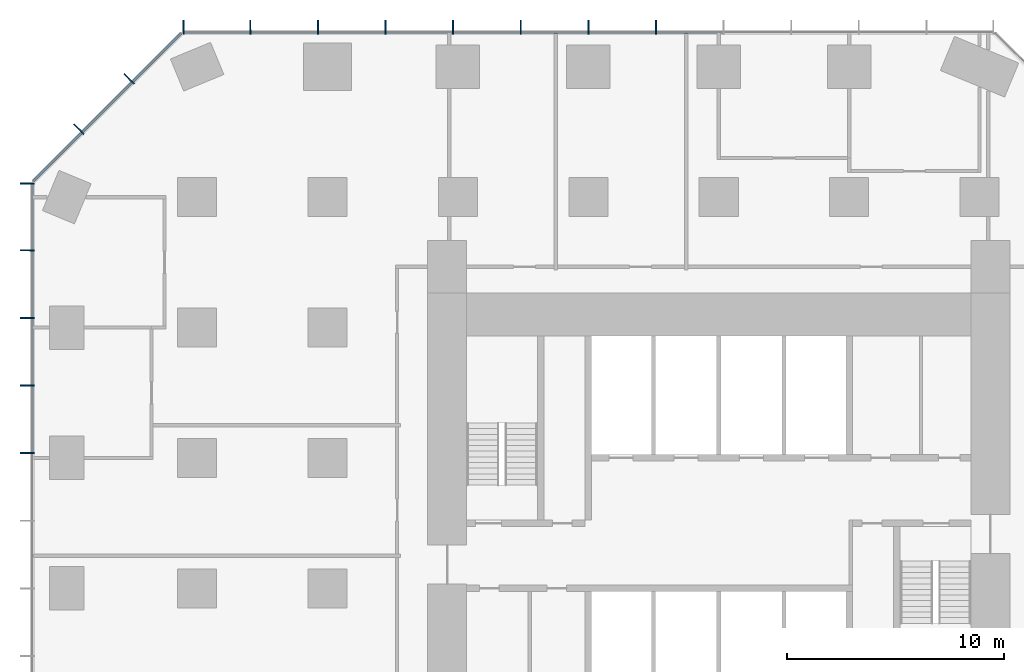
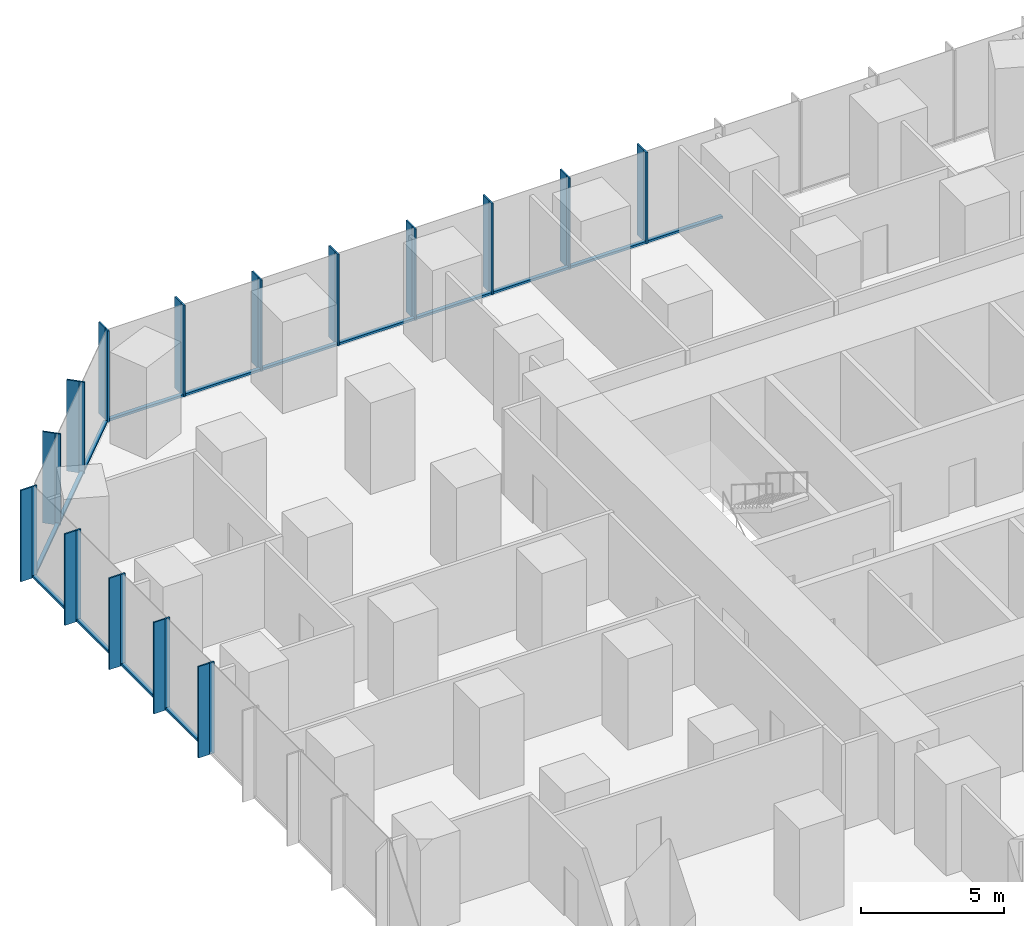
# One storey, part 5 of 12: 45 members, 3 elements without a shape of their own.
"""IFC4 building model written with IfcOpenShell, lengths in metres."""

from ifc_helpers import new_model, si_unit, direction, frame, origin, origin_2d, place, context, subcontext, project, spatial, rectangle, extrude, material, layer, layer_set, material_profile, profile_set, type_object, element, aggregate, save


model = new_model("IFC4")

# Units and contexts
model_context = context("Model", 3, precision=1e-05, world=origin(), true_north=direction((0.0, 1.0)))
body_context = subcontext(model_context, "Body", "Model", "MODEL_VIEW")
ifc_project = project(units=[si_unit("LENGTHUNIT", "METRE"), si_unit("AREAUNIT", "SQUARE_METRE"), si_unit("VOLUMEUNIT", "CUBIC_METRE"), si_unit("PLANEANGLEUNIT", "RADIAN"), si_unit("MASSUNIT", "GRAM", prefix="KILO")], contexts=[model_context])

# Site, building, storey
site_placement = place(None, origin())
site = spatial("IfcSite", under=ifc_project, at=site_placement, CompositionType="ELEMENT")
building_placement = place(site_placement, origin())
building = spatial("IfcBuilding", under=site, at=building_placement, Name="Highveld Stack Headquarters", CompositionType="ELEMENT")
storey_placement = place(building_placement, frame((0.0, 0.0, 26.0)))
storey = spatial("IfcBuildingStorey", under=building, at=storey_placement, Name="L05", CompositionType="ELEMENT", Elevation=26.0)

# Curtain wall, members
ifc_material_1 = material(Name="Aluminium bronze anodised", Category="aluminium")
ifc_layer_1 = layer(ifc_material_1, 0.199951171875)
ifc_layer_set_1 = layer_set([ifc_layer_1], Name="Aluminium bronze anodised")
curtain_wall_type_1 = type_object("IfcCurtainWallType", Name="CW1 TOWER UNITISED CURTAIN WALL", PredefinedType="NOTDEFINED", material=ifc_layer_set_1)
curtain_wall_1_placement = place(storey_placement, origin())
curtain_wall_1 = element("IfcCurtainWall", 1, at=curtain_wall_1_placement, inside=storey, type_object=curtain_wall_type_1, Name="Curtain wall CW1 L05 N", PredefinedType="NOTDEFINED")
ifc_material_2 = material(Name="Aluminium bronze anodised", Category="aluminium")
ifc_material_profile_1 = material_profile(ifc_material_2, rectangle(XDim=0.449951171875, YDim=0.06005859375, at=origin_2d()), Name="FIN 450x60")
ifc_profile_set_1 = profile_set([ifc_material_profile_1], Name="Aluminium bronze anodised")
member_type_1 = type_object("IfcMemberType", Name="CW1 BRONZE FIN 450x60", PredefinedType="USERDEFINED", material=ifc_profile_set_1)
member_1_placement = place(storey_placement, frame((3.110595703125, 25.925048828125, 0.0), z_axis=(0.0, 0.0, 1.0), x_axis=(0.0, -1.0, 0.0)))
member_1 = element("IfcMember", 2, at=member_1_placement, type_object=member_type_1, Name="CW1 fin L05 6", ObjectType="FIN", PredefinedType="USERDEFINED", context=body_context, shape_type="SweptSolid", body=[
    extrude(rectangle(XDim=0.449951171875, YDim=0.06005859375, at=origin_2d()), origin(), (0.0, 0.0, 1.0), 3.89990234375),
])
member_2_placement = place(storey_placement, frame((0.0, 25.925048828125, 0.0), z_axis=(0.0, 0.0, 1.0), x_axis=(0.0, -1.0, 0.0)))
member_2 = element("IfcMember", 3, at=member_2_placement, type_object=member_type_1, Name="CW1 fin L05 7", ObjectType="FIN", PredefinedType="USERDEFINED", context=body_context, shape_type="SweptSolid", body=[
    extrude(rectangle(XDim=0.449951171875, YDim=0.06005859375, at=origin_2d()), origin(), (0.0, 0.0, 1.0), 3.89990234375),
])
member_3_placement = place(storey_placement, frame((-3.110595703125, 25.925048828125, 0.0), z_axis=(0.0, 0.0, 1.0), x_axis=(0.0, -1.0, 0.0)))
member_3 = element("IfcMember", 4, at=member_3_placement, type_object=member_type_1, Name="CW1 fin L05 8", ObjectType="FIN", PredefinedType="USERDEFINED", context=body_context, shape_type="SweptSolid", body=[
    extrude(rectangle(XDim=0.449951171875, YDim=0.06005859375, at=origin_2d()), origin(), (0.0, 0.0, 1.0), 3.89990234375),
])
member_4_placement = place(storey_placement, frame((-6.220947265625, 25.925048828125, 0.0), z_axis=(0.0, 0.0, 1.0), x_axis=(0.0, -1.0, 0.0)))
member_4 = element("IfcMember", 5, at=member_4_placement, type_object=member_type_1, Name="CW1 fin L05 9", ObjectType="FIN", PredefinedType="USERDEFINED", context=body_context, shape_type="SweptSolid", body=[
    extrude(rectangle(XDim=0.449951171875, YDim=0.06005859375, at=origin_2d()), origin(), (0.0, 0.0, 1.0), 3.89990234375),
])
member_5_placement = place(storey_placement, frame((-9.331298828125, 25.925048828125, 0.0), z_axis=(0.0, 0.0, 1.0), x_axis=(0.0, -1.0, 0.0)))
member_5 = element("IfcMember", 6, at=member_5_placement, type_object=member_type_1, Name="CW1 fin L05 10", ObjectType="FIN", PredefinedType="USERDEFINED", context=body_context, shape_type="SweptSolid", body=[
    extrude(rectangle(XDim=0.449951171875, YDim=0.06005859375, at=origin_2d()), origin(), (0.0, 0.0, 1.0), 3.89990234375),
])
member_6_placement = place(storey_placement, frame((-12.44189453125, 25.925048828125, 0.0), z_axis=(0.0, 0.0, 1.0), x_axis=(0.0, -1.0, 0.0)))
member_6 = element("IfcMember", 7, at=member_6_placement, type_object=member_type_1, Name="CW1 fin L05 11", ObjectType="FIN", PredefinedType="USERDEFINED", context=body_context, shape_type="SweptSolid", body=[
    extrude(rectangle(XDim=0.449951171875, YDim=0.06005859375, at=origin_2d()), origin(), (0.0, 0.0, 1.0), 3.89990234375),
])
member_7_placement = place(storey_placement, frame((-15.55224609375, 25.925048828125, 0.0), z_axis=(0.0, 0.0, 1.0), x_axis=(0.0, -1.0, 0.0)))
member_7 = element("IfcMember", 8, at=member_7_placement, type_object=member_type_1, Name="CW1 fin L05 12", ObjectType="FIN", PredefinedType="USERDEFINED", context=body_context, shape_type="SweptSolid", body=[
    extrude(rectangle(XDim=0.449951171875, YDim=0.06005859375, at=origin_2d()), origin(), (0.0, 0.0, 1.0), 3.89990234375),
])
member_8_placement = place(storey_placement, frame((-18.630126953125, 25.925048828125, 0.0), z_axis=(0.0, 0.0, 1.0), x_axis=(0.0, -1.0, 0.0)))
member_8 = element("IfcMember", 9, at=member_8_placement, type_object=member_type_1, Name="CW1 fin L05 13", ObjectType="FIN", PredefinedType="USERDEFINED", context=body_context, shape_type="SweptSolid", body=[
    extrude(rectangle(XDim=0.449951171875, YDim=0.06005859375, at=origin_2d()), origin(), (0.0, 0.0, 1.0), 3.89990234375),
])

curtain_wall_2_placement = place(storey_placement, origin())
curtain_wall_2 = element("IfcCurtainWall", 10, at=curtain_wall_2_placement, inside=storey, type_object=curtain_wall_type_1, Name="Curtain wall CW1 L05 W", PredefinedType="NOTDEFINED")
member_9_placement = place(storey_placement, frame((-25.925048828125, 18.630126953125, 0.0), z_axis=(0.0, 0.0, 1.0), x_axis=(1.0, 0.0, 0.0)))
member_9 = element("IfcMember", 11, at=member_9_placement, type_object=member_type_1, Name="CW1 fin L05 1", ObjectType="FIN", PredefinedType="USERDEFINED", context=body_context, shape_type="SweptSolid", body=[
    extrude(rectangle(XDim=0.449951171875, YDim=0.06005859375, at=origin_2d()), origin(), (0.0, 0.0, 1.0), 3.89990234375),
])
member_10_placement = place(storey_placement, frame((-25.925048828125, 15.55224609375, 0.0), z_axis=(0.0, 0.0, 1.0), x_axis=(1.0, 0.0, 0.0)))
member_10 = element("IfcMember", 12, at=member_10_placement, type_object=member_type_1, Name="CW1 fin L05 2", ObjectType="FIN", PredefinedType="USERDEFINED", context=body_context, shape_type="SweptSolid", body=[
    extrude(rectangle(XDim=0.449951171875, YDim=0.06005859375, at=origin_2d()), origin(), (0.0, 0.0, 1.0), 3.89990234375),
])
member_11_placement = place(storey_placement, frame((-25.925048828125, 12.44189453125, 0.0), z_axis=(0.0, 0.0, 1.0), x_axis=(1.0, 0.0, 0.0)))
member_11 = element("IfcMember", 13, at=member_11_placement, type_object=member_type_1, Name="CW1 fin L05 3", ObjectType="FIN", PredefinedType="USERDEFINED", context=body_context, shape_type="SweptSolid", body=[
    extrude(rectangle(XDim=0.449951171875, YDim=0.06005859375, at=origin_2d()), origin(), (0.0, 0.0, 1.0), 3.89990234375),
])
member_12_placement = place(storey_placement, frame((-25.925048828125, 9.331298828125, 0.0), z_axis=(0.0, 0.0, 1.0), x_axis=(1.0, 0.0, 0.0)))
member_12 = element("IfcMember", 14, at=member_12_placement, type_object=member_type_1, Name="CW1 fin L05 4", ObjectType="FIN", PredefinedType="USERDEFINED", context=body_context, shape_type="SweptSolid", body=[
    extrude(rectangle(XDim=0.449951171875, YDim=0.06005859375, at=origin_2d()), origin(), (0.0, 0.0, 1.0), 3.89990234375),
])
member_13_placement = place(storey_placement, frame((-25.925048828125, 6.220947265625, 0.0), z_axis=(0.0, 0.0, 1.0), x_axis=(1.0, 0.0, 0.0)))
member_13 = element("IfcMember", 15, at=member_13_placement, type_object=member_type_1, Name="CW1 fin L05 5", ObjectType="FIN", PredefinedType="USERDEFINED", context=body_context, shape_type="SweptSolid", body=[
    extrude(rectangle(XDim=0.449951171875, YDim=0.06005859375, at=origin_2d()), origin(), (0.0, 0.0, 1.0), 3.89990234375),
])

# Member
ifc_material_3 = material(Name="Aluminium bronze anodised", Category="aluminium")
ifc_material_profile_2 = material_profile(ifc_material_3, rectangle(XDim=0.199951171875, YDim=0.06494140625, at=origin_2d()), Name="CW1 MULLION 65x200")
ifc_profile_set_2 = profile_set([ifc_material_profile_2], Name="Aluminium bronze anodised")
member_type_2 = type_object("IfcMemberType", Name="CW1 MULLION 65x200", PredefinedType="MULLION", material=ifc_profile_set_2)
member_14_placement = place(storey_placement, frame((3.110595703125, 25.60009765625, 0.0), z_axis=(0.0, 0.0, 1.0), x_axis=(0.0, -1.0, 0.0)))
member_14 = element("IfcMember", 16, at=member_14_placement, type_object=member_type_2, Name="CW1 mullion L05 6", PredefinedType="MULLION", context=body_context, shape_type="SweptSolid", body=[
    extrude(rectangle(XDim=0.199951171875, YDim=0.06494140625, at=origin_2d()), origin(), (0.0, 0.0, 1.0), 3.89990234375),
])

member_15_placement = place(storey_placement, frame((0.0, 25.60009765625, 0.0), z_axis=(0.0, 0.0, 1.0), x_axis=(0.0, -1.0, 0.0)))
member_15 = element("IfcMember", 17, at=member_15_placement, type_object=member_type_2, Name="CW1 mullion L05 7", PredefinedType="MULLION", context=body_context, shape_type="SweptSolid", body=[
    extrude(rectangle(XDim=0.199951171875, YDim=0.06494140625, at=origin_2d()), origin(), (0.0, 0.0, 1.0), 3.89990234375),
])

member_16_placement = place(storey_placement, frame((-3.110595703125, 25.60009765625, 0.0), z_axis=(0.0, 0.0, 1.0), x_axis=(0.0, -1.0, 0.0)))
member_16 = element("IfcMember", 18, at=member_16_placement, type_object=member_type_2, Name="CW1 mullion L05 8", PredefinedType="MULLION", context=body_context, shape_type="SweptSolid", body=[
    extrude(rectangle(XDim=0.199951171875, YDim=0.06494140625, at=origin_2d()), origin(), (0.0, 0.0, 1.0), 3.89990234375),
])

member_17_placement = place(storey_placement, frame((-6.220947265625, 25.60009765625, 0.0), z_axis=(0.0, 0.0, 1.0), x_axis=(0.0, -1.0, 0.0)))
member_17 = element("IfcMember", 19, at=member_17_placement, type_object=member_type_2, Name="CW1 mullion L05 9", PredefinedType="MULLION", context=body_context, shape_type="SweptSolid", body=[
    extrude(rectangle(XDim=0.199951171875, YDim=0.06494140625, at=origin_2d()), origin(), (0.0, 0.0, 1.0), 3.89990234375),
])

member_18_placement = place(storey_placement, frame((-9.331298828125, 25.60009765625, 0.0), z_axis=(0.0, 0.0, 1.0), x_axis=(0.0, -1.0, 0.0)))
member_18 = element("IfcMember", 20, at=member_18_placement, type_object=member_type_2, Name="CW1 mullion L05 10", PredefinedType="MULLION", context=body_context, shape_type="SweptSolid", body=[
    extrude(rectangle(XDim=0.199951171875, YDim=0.06494140625, at=origin_2d()), origin(), (0.0, 0.0, 1.0), 3.89990234375),
])

member_19_placement = place(storey_placement, frame((-12.44189453125, 25.60009765625, 0.0), z_axis=(0.0, 0.0, 1.0), x_axis=(0.0, -1.0, 0.0)))
member_19 = element("IfcMember", 21, at=member_19_placement, type_object=member_type_2, Name="CW1 mullion L05 11", PredefinedType="MULLION", context=body_context, shape_type="SweptSolid", body=[
    extrude(rectangle(XDim=0.199951171875, YDim=0.06494140625, at=origin_2d()), origin(), (0.0, 0.0, 1.0), 3.89990234375),
])

member_20_placement = place(storey_placement, frame((-15.55224609375, 25.60009765625, 0.0), z_axis=(0.0, 0.0, 1.0), x_axis=(0.0, -1.0, 0.0)))
member_20 = element("IfcMember", 22, at=member_20_placement, type_object=member_type_2, Name="CW1 mullion L05 12", PredefinedType="MULLION", context=body_context, shape_type="SweptSolid", body=[
    extrude(rectangle(XDim=0.199951171875, YDim=0.06494140625, at=origin_2d()), origin(), (0.0, 0.0, 1.0), 3.89990234375),
])

member_21_placement = place(storey_placement, frame((-18.630126953125, 25.60009765625, 0.0), z_axis=(0.0, 0.0, 1.0), x_axis=(0.0, -1.0, 0.0)))
member_21 = element("IfcMember", 23, at=member_21_placement, type_object=member_type_2, Name="CW1 mullion L05 13", PredefinedType="MULLION", context=body_context, shape_type="SweptSolid", body=[
    extrude(rectangle(XDim=0.199951171875, YDim=0.06494140625, at=origin_2d()), origin(), (0.0, 0.0, 1.0), 3.89990234375),
])

member_22_placement = place(storey_placement, frame((-25.60009765625, 18.630126953125, 0.0), z_axis=(0.0, 0.0, 1.0), x_axis=(1.0, 0.0, 0.0)))
member_22 = element("IfcMember", 24, at=member_22_placement, type_object=member_type_2, Name="CW1 mullion L05 1", PredefinedType="MULLION", context=body_context, shape_type="SweptSolid", body=[
    extrude(rectangle(XDim=0.199951171875, YDim=0.06494140625, at=origin_2d()), origin(), (0.0, 0.0, 1.0), 3.89990234375),
])

member_23_placement = place(storey_placement, frame((-25.60009765625, 15.55224609375, 0.0), z_axis=(0.0, 0.0, 1.0), x_axis=(1.0, 0.0, 0.0)))
member_23 = element("IfcMember", 25, at=member_23_placement, type_object=member_type_2, Name="CW1 mullion L05 2", PredefinedType="MULLION", context=body_context, shape_type="SweptSolid", body=[
    extrude(rectangle(XDim=0.199951171875, YDim=0.06494140625, at=origin_2d()), origin(), (0.0, 0.0, 1.0), 3.89990234375),
])

member_24_placement = place(storey_placement, frame((-25.60009765625, 12.44189453125, 0.0), z_axis=(0.0, 0.0, 1.0), x_axis=(1.0, 0.0, 0.0)))
member_24 = element("IfcMember", 26, at=member_24_placement, type_object=member_type_2, Name="CW1 mullion L05 3", PredefinedType="MULLION", context=body_context, shape_type="SweptSolid", body=[
    extrude(rectangle(XDim=0.199951171875, YDim=0.06494140625, at=origin_2d()), origin(), (0.0, 0.0, 1.0), 3.89990234375),
])

member_25_placement = place(storey_placement, frame((-25.60009765625, 9.331298828125, 0.0), z_axis=(0.0, 0.0, 1.0), x_axis=(1.0, 0.0, 0.0)))
member_25 = element("IfcMember", 27, at=member_25_placement, type_object=member_type_2, Name="CW1 mullion L05 4", PredefinedType="MULLION", context=body_context, shape_type="SweptSolid", body=[
    extrude(rectangle(XDim=0.199951171875, YDim=0.06494140625, at=origin_2d()), origin(), (0.0, 0.0, 1.0), 3.89990234375),
])

member_26_placement = place(storey_placement, frame((-25.60009765625, 6.220947265625, 0.0), z_axis=(0.0, 0.0, 1.0), x_axis=(1.0, 0.0, 0.0)))
member_26 = element("IfcMember", 28, at=member_26_placement, type_object=member_type_2, Name="CW1 mullion L05 5", PredefinedType="MULLION", context=body_context, shape_type="SweptSolid", body=[
    extrude(rectangle(XDim=0.199951171875, YDim=0.06494140625, at=origin_2d()), origin(), (0.0, 0.0, 1.0), 3.89990234375),
])

ifc_material_4 = material(Name="Aluminium bronze anodised", Category="aluminium")
ifc_material_profile_3 = material_profile(ifc_material_4, rectangle(XDim=0.14990234375, YDim=0.10009765625, at=origin_2d()), Name="CW1 TRANSOM 150x100")
ifc_profile_set_3 = profile_set([ifc_material_profile_3], Name="Aluminium bronze anodised")
member_type_3 = type_object("IfcMemberType", Name="CW1 STACK TRANSOM 150x100", PredefinedType="USERDEFINED", material=ifc_profile_set_3)
member_27_placement = place(storey_placement, frame((6.1884765625, 25.60009765625, 0.050048828125), z_axis=(-1.0, 0.0, 0.0), x_axis=(0.0, -1.0, 0.0)))
member_27 = element("IfcMember", 29, at=member_27_placement, type_object=member_type_3, Name="CW1 transom L05 5.1", ObjectType="TRANSOM", PredefinedType="USERDEFINED", context=body_context, shape_type="SweptSolid", body=[
    extrude(rectangle(XDim=0.14990234375, YDim=0.10009765625, at=origin_2d()), origin(), (0.0, 0.0, 1.0), 3.04541015625),
])

member_28_placement = place(storey_placement, frame((3.077880859375, 25.60009765625, 0.050048828125), z_axis=(-1.0, 0.0, 0.0), x_axis=(0.0, -1.0, 0.0)))
member_28 = element("IfcMember", 30, at=member_28_placement, type_object=member_type_3, Name="CW1 transom L05 6.1", ObjectType="TRANSOM", PredefinedType="USERDEFINED", context=body_context, shape_type="SweptSolid", body=[
    extrude(rectangle(XDim=0.14990234375, YDim=0.10009765625, at=origin_2d()), origin(), (0.0, 0.0, 1.0), 3.04541015625),
])

member_29_placement = place(storey_placement, frame((-0.032470703125, 25.60009765625, 0.050048828125), z_axis=(-1.0, 0.0, 0.0), x_axis=(0.0, -1.0, 0.0)))
member_29 = element("IfcMember", 31, at=member_29_placement, type_object=member_type_3, Name="CW1 transom L05 7.1", ObjectType="TRANSOM", PredefinedType="USERDEFINED", context=body_context, shape_type="SweptSolid", body=[
    extrude(rectangle(XDim=0.14990234375, YDim=0.10009765625, at=origin_2d()), origin(), (0.0, 0.0, 1.0), 3.04541015625),
])

member_30_placement = place(storey_placement, frame((-3.142822265625, 25.60009765625, 0.050048828125), z_axis=(-1.0, 0.0, 0.0), x_axis=(0.0, -1.0, 0.0)))
member_30 = element("IfcMember", 32, at=member_30_placement, type_object=member_type_3, Name="CW1 transom L05 8.1", ObjectType="TRANSOM", PredefinedType="USERDEFINED", context=body_context, shape_type="SweptSolid", body=[
    extrude(rectangle(XDim=0.14990234375, YDim=0.10009765625, at=origin_2d()), origin(), (0.0, 0.0, 1.0), 3.045654296875),
])

member_31_placement = place(storey_placement, frame((-6.25341796875, 25.60009765625, 0.050048828125), z_axis=(-1.0, 0.0, 0.0), x_axis=(0.0, -1.0, 0.0)))
member_31 = element("IfcMember", 33, at=member_31_placement, type_object=member_type_3, Name="CW1 transom L05 9.1", ObjectType="TRANSOM", PredefinedType="USERDEFINED", context=body_context, shape_type="SweptSolid", body=[
    extrude(rectangle(XDim=0.14990234375, YDim=0.10009765625, at=origin_2d()), origin(), (0.0, 0.0, 1.0), 3.04541015625),
])

member_32_placement = place(storey_placement, frame((-9.36376953125, 25.60009765625, 0.050048828125), z_axis=(-1.0, 0.0, 0.0), x_axis=(0.0, -1.0, 0.0)))
member_32 = element("IfcMember", 34, at=member_32_placement, type_object=member_type_3, Name="CW1 transom L05 10.1", ObjectType="TRANSOM", PredefinedType="USERDEFINED", context=body_context, shape_type="SweptSolid", body=[
    extrude(rectangle(XDim=0.14990234375, YDim=0.10009765625, at=origin_2d()), origin(), (0.0, 0.0, 1.0), 3.04541015625),
])

member_33_placement = place(storey_placement, frame((-12.474365234375, 25.60009765625, 0.050048828125), z_axis=(-1.0, 0.0, 0.0), x_axis=(0.0, -1.0, 0.0)))
member_33 = element("IfcMember", 35, at=member_33_placement, type_object=member_type_3, Name="CW1 transom L05 11.1", ObjectType="TRANSOM", PredefinedType="USERDEFINED", context=body_context, shape_type="SweptSolid", body=[
    extrude(rectangle(XDim=0.14990234375, YDim=0.10009765625, at=origin_2d()), origin(), (0.0, 0.0, 1.0), 3.04541015625),
])

member_34_placement = place(storey_placement, frame((-15.584716796875, 25.60009765625, 0.050048828125), z_axis=(-1.0, 0.0, 0.0), x_axis=(0.0, -1.0, 0.0)))
member_34 = element("IfcMember", 36, at=member_34_placement, type_object=member_type_3, Name="CW1 transom L05 12.1", ObjectType="TRANSOM", PredefinedType="USERDEFINED", context=body_context, shape_type="SweptSolid", body=[
    extrude(rectangle(XDim=0.14990234375, YDim=0.10009765625, at=origin_2d()), origin(), (0.0, 0.0, 1.0), 3.012939453125),
])

aggregate(curtain_wall_1, [member_14, member_1, member_15, member_2, member_16, member_3, member_17, member_4, member_18, member_5, member_19, member_6, member_20, member_7, member_21, member_8, member_27, member_28, member_29, member_30, member_31, member_32, member_33, member_34])

member_35_placement = place(storey_placement, frame((-25.60009765625, 18.59765625, 0.050048828125), z_axis=(0.0, -1.0, 0.0), x_axis=(1.0, 0.0, 0.0)))
member_35 = element("IfcMember", 37, at=member_35_placement, type_object=member_type_3, Name="CW1 transom L05 1.1", ObjectType="TRANSOM", PredefinedType="USERDEFINED", context=body_context, shape_type="SweptSolid", body=[
    extrude(rectangle(XDim=0.14990234375, YDim=0.10009765625, at=origin_2d()), origin(), (0.0, 0.0, 1.0), 3.012939453125),
])

member_36_placement = place(storey_placement, frame((-25.60009765625, 15.519775390625, 0.050048828125), z_axis=(0.0, -1.0, 0.0), x_axis=(1.0, 0.0, 0.0)))
member_36 = element("IfcMember", 38, at=member_36_placement, type_object=member_type_3, Name="CW1 transom L05 2.1", ObjectType="TRANSOM", PredefinedType="USERDEFINED", context=body_context, shape_type="SweptSolid", body=[
    extrude(rectangle(XDim=0.14990234375, YDim=0.10009765625, at=origin_2d()), origin(), (0.0, 0.0, 1.0), 3.04541015625),
])

member_37_placement = place(storey_placement, frame((-25.60009765625, 12.4091796875, 0.050048828125), z_axis=(0.0, -1.0, 0.0), x_axis=(1.0, 0.0, 0.0)))
member_37 = element("IfcMember", 39, at=member_37_placement, type_object=member_type_3, Name="CW1 transom L05 3.1", ObjectType="TRANSOM", PredefinedType="USERDEFINED", context=body_context, shape_type="SweptSolid", body=[
    extrude(rectangle(XDim=0.14990234375, YDim=0.10009765625, at=origin_2d()), origin(), (0.0, 0.0, 1.0), 3.045166015625),
])

member_38_placement = place(storey_placement, frame((-25.60009765625, 9.298828125, 0.050048828125), z_axis=(0.0, -1.0, 0.0), x_axis=(1.0, 0.0, 0.0)))
member_38 = element("IfcMember", 40, at=member_38_placement, type_object=member_type_3, Name="CW1 transom L05 4.1", ObjectType="TRANSOM", PredefinedType="USERDEFINED", context=body_context, shape_type="SweptSolid", body=[
    extrude(rectangle(XDim=0.14990234375, YDim=0.10009765625, at=origin_2d()), origin(), (0.0, 0.0, 1.0), 3.04541015625),
])

aggregate(curtain_wall_2, [member_22, member_9, member_23, member_10, member_24, member_11, member_25, member_12, member_26, member_13, member_35, member_36, member_37, member_38])

# Curtain wall, members
ifc_material_5 = material(Name="Aluminium bronze anodised", Category="aluminium")
ifc_layer_2 = layer(ifc_material_5, 0.199951171875)
ifc_layer_set_2 = layer_set([ifc_layer_2], Name="Aluminium bronze anodised")
curtain_wall_type_2 = type_object("IfcCurtainWallType", Name="CW2 TOWER CHAMFER UNITISED CURTAIN WALL", PredefinedType="NOTDEFINED", material=ifc_layer_set_2)
curtain_wall_3_placement = place(storey_placement, origin())
curtain_wall_3 = element("IfcCurtainWall", 41, at=curtain_wall_3_placement, inside=storey, type_object=curtain_wall_type_2, Name="Curtain wall CW2 L05 NW", PredefinedType="NOTDEFINED")
ifc_material_6 = material(Name="Aluminium bronze anodised", Category="aluminium")
ifc_material_profile_4 = material_profile(ifc_material_6, rectangle(XDim=0.449951171875, YDim=0.06005859375, at=origin_2d()), Name="FIN 450x60")
ifc_profile_set_4 = profile_set([ifc_material_profile_4], Name="Aluminium bronze anodised")
member_type_4 = type_object("IfcMemberType", Name="CW2 BRONZE FIN 450x60", PredefinedType="USERDEFINED", material=ifc_profile_set_4)
member_39_placement = place(storey_placement, frame((-21.204833984375, 23.517333984375, 0.0), z_axis=(0.0, 0.0, 1.0), x_axis=(0.707106781187, -0.707106781187, 0.0)))
member_39 = element("IfcMember", 42, at=member_39_placement, type_object=member_type_4, Name="CW2 fin L05 1", ObjectType="FIN", PredefinedType="USERDEFINED", context=body_context, shape_type="SweptSolid", body=[
    extrude(rectangle(XDim=0.449951171875, YDim=0.06005859375, at=origin_2d()), origin(), (0.0, 0.0, 1.0), 3.89990234375),
])
member_40_placement = place(storey_placement, frame((-23.517333984375, 21.204833984375, 0.0), z_axis=(0.0, 0.0, 1.0), x_axis=(0.707106781187, -0.707106781187, 0.0)))
member_40 = element("IfcMember", 43, at=member_40_placement, type_object=member_type_4, Name="CW2 fin L05 2", ObjectType="FIN", PredefinedType="USERDEFINED", context=body_context, shape_type="SweptSolid", body=[
    extrude(rectangle(XDim=0.449951171875, YDim=0.06005859375, at=origin_2d()), origin(), (0.0, 0.0, 1.0), 3.89990234375),
])
ifc_material_7 = material(Name="Aluminium bronze anodised", Category="aluminium")
ifc_material_profile_5 = material_profile(ifc_material_7, rectangle(XDim=0.199951171875, YDim=0.06494140625, at=origin_2d()), Name="CW2 MULLION 65x200")
ifc_profile_set_5 = profile_set([ifc_material_profile_5], Name="Aluminium bronze anodised")
member_type_5 = type_object("IfcMemberType", Name="CW2 MULLION 65x200", PredefinedType="MULLION", material=ifc_profile_set_5)
member_41_placement = place(storey_placement, frame((-20.97509765625, 23.28759765625, 0.0), z_axis=(0.0, 0.0, 1.0), x_axis=(0.707106781187, -0.707106781187, 0.0)))
member_41 = element("IfcMember", 44, at=member_41_placement, type_object=member_type_5, Name="CW2 mullion L05 1", PredefinedType="MULLION", context=body_context, shape_type="SweptSolid", body=[
    extrude(rectangle(XDim=0.199951171875, YDim=0.06494140625, at=origin_2d()), origin(), (0.0, 0.0, 1.0), 3.89990234375),
])
member_42_placement = place(storey_placement, frame((-23.28759765625, 20.97509765625, 0.0), z_axis=(0.0, 0.0, 1.0), x_axis=(0.707106781187, -0.707106781187, 0.0)))
member_42 = element("IfcMember", 45, at=member_42_placement, type_object=member_type_5, Name="CW2 mullion L05 2", PredefinedType="MULLION", context=body_context, shape_type="SweptSolid", body=[
    extrude(rectangle(XDim=0.199951171875, YDim=0.06494140625, at=origin_2d()), origin(), (0.0, 0.0, 1.0), 3.89990234375),
])
ifc_material_8 = material(Name="Aluminium bronze anodised", Category="aluminium")
ifc_material_profile_6 = material_profile(ifc_material_8, rectangle(XDim=0.14990234375, YDim=0.10009765625, at=origin_2d()), Name="CW2 TRANSOM 150x100")
ifc_profile_set_6 = profile_set([ifc_material_profile_6], Name="Aluminium bronze anodised")
member_type_6 = type_object("IfcMemberType", Name="CW2 STACK TRANSOM 150x100", PredefinedType="USERDEFINED", material=ifc_profile_set_6)
member_43_placement = place(storey_placement, frame((-18.7333984375, 25.529296875, 0.050048828125), z_axis=(-0.707106781187, -0.707106781187, 0.0), x_axis=(0.707106781187, -0.707106781187, 0.0)))
member_43 = element("IfcMember", 46, at=member_43_placement, type_object=member_type_6, Name="CW2 transom L05 1.1", ObjectType="TRANSOM", PredefinedType="USERDEFINED", context=body_context, shape_type="SweptSolid", body=[
    extrude(rectangle(XDim=0.14990234375, YDim=0.10009765625, at=origin_2d()), origin(), (0.0, 0.0, 1.0), 3.1376953125),
])
member_44_placement = place(storey_placement, frame((-20.998046875, 23.2646484375, 0.050048828125), z_axis=(-0.707106781187, -0.707106781187, 0.0), x_axis=(0.707106781187, -0.707106781187, 0.0)))
member_44 = element("IfcMember", 47, at=member_44_placement, type_object=member_type_6, Name="CW2 transom L05 2.1", ObjectType="TRANSOM", PredefinedType="USERDEFINED", context=body_context, shape_type="SweptSolid", body=[
    extrude(rectangle(XDim=0.14990234375, YDim=0.10009765625, at=origin_2d()), origin(), (0.0, 0.0, 1.0), 3.20556640625),
])
member_45_placement = place(storey_placement, frame((-23.310546875, 20.9521484375, 0.050048828125), z_axis=(-0.707106781187, -0.707106781187, 0.0), x_axis=(0.707106781187, -0.707106781187, 0.0)))
member_45 = element("IfcMember", 48, at=member_45_placement, type_object=member_type_6, Name="CW2 transom L05 3.1", ObjectType="TRANSOM", PredefinedType="USERDEFINED", context=body_context, shape_type="SweptSolid", body=[
    extrude(rectangle(XDim=0.14990234375, YDim=0.10009765625, at=origin_2d()), origin(), (0.0, 0.0, 1.0), 3.1376953125),
])
aggregate(curtain_wall_3, [member_41, member_39, member_42, member_40, member_43, member_44, member_45])

save(model, "model.ifc")
